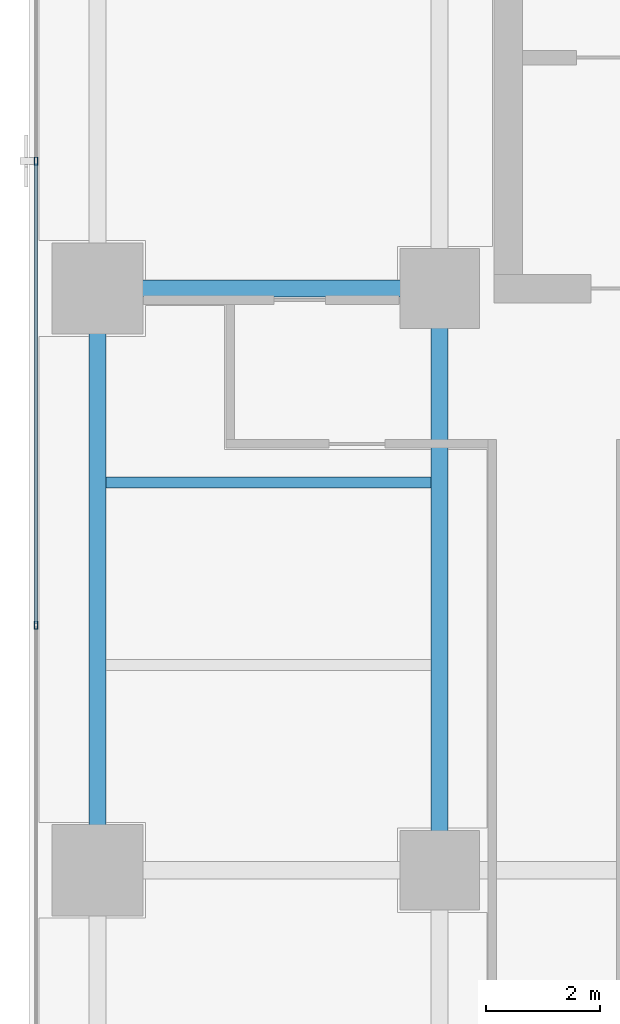
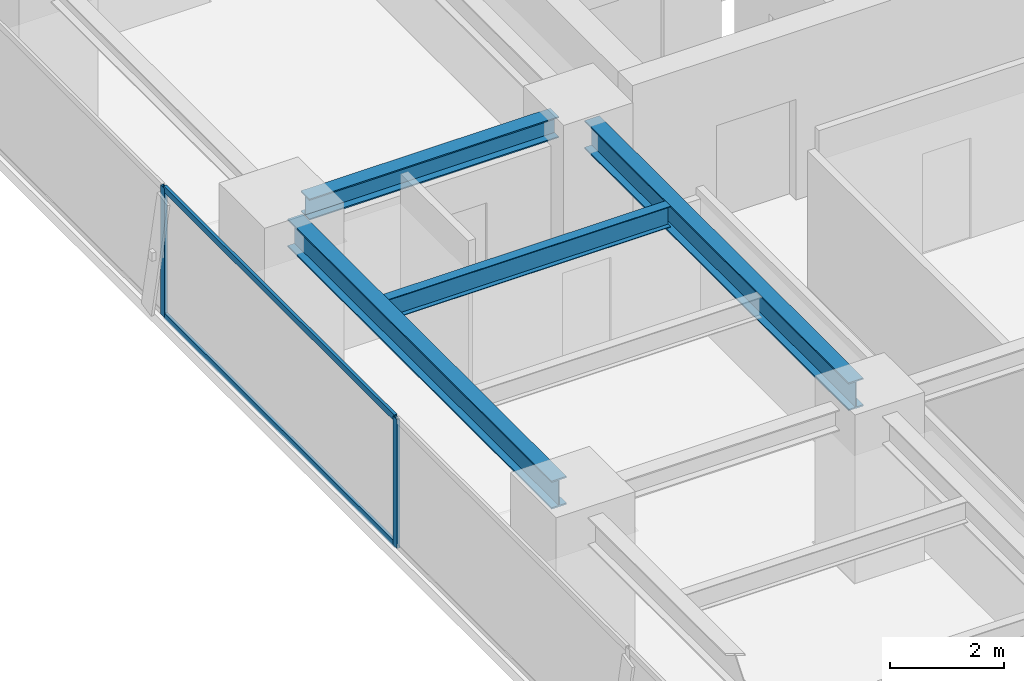
# One storey, part 8 of 29: 4 beams, 4 members, 1 element without a shape of its own.
"""IFC4 building model written with IfcOpenShell, lengths in metres."""

from ifc_helpers import new_model, si_unit, direction, frame, origin, origin_2d, place, context, subcontext, project, spatial, hollow_rectangle, i_section, extrude, source, transform, mapped, material, layer, layer_set, material_profile, profile_set, type_object, element, aggregate, save


model = new_model("IFC4")

# Units and contexts
model_context = context("Model", 3, precision=1e-05, world=origin(), true_north=direction((0.0, 1.0)))
body_context = subcontext(model_context, "Body", "Model", "MODEL_VIEW")
ifc_project = project(units=[si_unit("LENGTHUNIT", "METRE"), si_unit("AREAUNIT", "SQUARE_METRE"), si_unit("VOLUMEUNIT", "CUBIC_METRE"), si_unit("PLANEANGLEUNIT", "RADIAN"), si_unit("MASSUNIT", "GRAM", prefix="KILO")], contexts=[model_context])

# Site, building, storey
site_placement = place(None, origin())
site = spatial("IfcSite", under=ifc_project, at=site_placement, CompositionType="ELEMENT")
building_placement = place(site_placement, origin())
building = spatial("IfcBuilding", under=site, at=building_placement, Name="Sumidabori Civic Tower", CompositionType="ELEMENT")
storey_placement = place(building_placement, frame((0.0, 0.0, 207.199951171875)))
storey = spatial("IfcBuildingStorey", under=building, at=storey_placement, Name="L53", CompositionType="ELEMENT", Elevation=207.199951171875)

# Beams
ifc_material_1 = material(Name="Steel SN490", Category="steel")
ifc_material_profile_1 = material_profile(ifc_material_1, i_section(OverallWidth=0.300048828125, OverallDepth=0.60009765625, WebThickness=0.015380859375, FlangeThickness=0.030029296875, at=origin_2d()), Name="HE 600 B")
ifc_profile_set_1 = profile_set([ifc_material_profile_1], Name="Steel SN490")
beam_type_1 = type_object("IfcBeamType", Name="BM-GIRD-600", PredefinedType="BEAM", material=ifc_profile_set_1)
shared_shape_1 = source(origin(), body_context, "Body", "SweptSolid", [
    extrude(i_section(OverallWidth=0.300048828125, OverallDepth=0.60009765625, WebThickness=0.015380859375, FlangeThickness=0.030029296875, at=origin_2d()), origin(), (0.0, 0.0, 1.0), 9.239990234375),
])
for number, where, z_axis, x_axis, name in (
    (1, (-22.800048828125, 0.47998046875, 3.080078125), (0.0, 1.0, 0.0), (-1.0, 0.0, 0.0), "Primary Girder L53 GY-12"),
    (2, (-16.800048828125, 0.47998046875, 3.080078125), (0.0, 1.0, 0.0), (-1.0, 0.0, 0.0), "Primary Girder L53 GY-15"),
):
    element("IfcBeam", number, at=place(storey_placement, frame(where, z_axis=z_axis, x_axis=x_axis)), inside=storey, type_object=beam_type_1, Name=name, PredefinedType="BEAM", context=body_context, shape_type="MappedRepresentation", body=[
        mapped(shared_shape_1, transform((0.0, 0.0, 0.0), x_axis=(1.0, 0.0, 0.0), y_axis=(0.0, 1.0, 0.0), z_axis=(0.0, 0.0, 1.0), scale=1.0)),
    ])
ifc_material_profile_2 = material_profile(ifc_material_1, i_section(OverallWidth=0.18994140625, OverallDepth=0.449951171875, WebThickness=0.009521484375, FlangeThickness=0.0146484375, at=origin_2d()), Name="IPE 450")
ifc_profile_set_2 = profile_set([ifc_material_profile_2], Name="Steel SN490")
beam_type_2 = type_object("IfcBeamType", Name="BM-JST-450", PredefinedType="JOIST", material=ifc_profile_set_2)
shared_shape_2 = source(origin(), body_context, "Body", "SweptSolid", [
    extrude(i_section(OverallWidth=0.18994140625, OverallDepth=0.449951171875, WebThickness=0.009521484375, FlangeThickness=0.0146484375, at=origin_2d()), origin(), (0.0, 0.0, 1.0), 5.699951171875),
])
beam_1_placement = place(storey_placement, frame((-22.64990234375, 6.800048828125, 3.155029296875), z_axis=(1.0, 0.0, 0.0), x_axis=(0.0, 1.0, 0.0)))
element("IfcBeam", 3, at=beam_1_placement, inside=storey, type_object=beam_type_2, Name="Outer Bay Floor Joist L53 JSTO-31", PredefinedType="JOIST", context=body_context, shape_type="MappedRepresentation", body=[
    mapped(shared_shape_2, transform((0.0, 0.0, 0.0), x_axis=(1.0, 0.0, 0.0), y_axis=(0.0, 1.0, 0.0), z_axis=(0.0, 0.0, 1.0), scale=1.0)),
])
ifc_material_profile_3 = material_profile(ifc_material_1, i_section(OverallWidth=0.300048828125, OverallDepth=0.449951171875, WebThickness=0.013916015625, FlangeThickness=0.02587890625, at=origin_2d()), Name="HE 450 B")
ifc_profile_set_3 = profile_set([ifc_material_profile_3], Name="Steel SN490")
beam_type_3 = type_object("IfcBeamType", Name="BM-GIRD-450", PredefinedType="BEAM", material=ifc_profile_set_3)
shared_shape_3 = source(origin(), body_context, "Body", "SweptSolid", [
    extrude(i_section(OverallWidth=0.300048828125, OverallDepth=0.449951171875, WebThickness=0.013916015625, FlangeThickness=0.02587890625, at=origin_2d()), origin(), (0.0, 0.0, 1.0), 5.0400390625),
])
beam_2_placement = place(storey_placement, frame((-22.320068359375, 10.199951171875, 3.155029296875), z_axis=(1.0, 0.0, 0.0), x_axis=(0.0, 1.0, 0.0)))
element("IfcBeam", 4, at=beam_2_placement, inside=storey, type_object=beam_type_3, Name="Primary Girder L53 GX-09", PredefinedType="BEAM", context=body_context, shape_type="MappedRepresentation", body=[
    mapped(shared_shape_3, transform((0.0, 0.0, 0.0), x_axis=(1.0, 0.0, 0.0), y_axis=(0.0, 1.0, 0.0), z_axis=(0.0, 0.0, 1.0), scale=1.0)),
])

# Curtain wall, members
ifc_material_2 = material(Name="Anodised Bronze Aluminium AW-6063-T6", Category="aluminium")
ifc_layer = layer(ifc_material_2, 0.179931640625, Name="Anodised Bronze Aluminium AW-6063-T6")
ifc_layer_set = layer_set([ifc_layer], Name="Anodised Bronze Aluminium AW-6063-T6")
curtain_wall_type = type_object("IfcCurtainWallType", Name="CW-SYS-5", PredefinedType="NOTDEFINED", material=ifc_layer_set)
curtain_wall_placement = place(storey_placement, origin())
curtain_wall = element("IfcCurtainWall", 5, at=curtain_wall_placement, inside=storey, type_object=curtain_wall_type, Name="Curtain Wall CW:L53:R16", PredefinedType="NOTDEFINED")
ifc_material_profile_4 = material_profile(ifc_material_2, hollow_rectangle(XDim=0.06005859375, YDim=0.139892578125, WallThickness=0.0048828125, at=origin_2d()), Name="ALU MULLION 140x60")
ifc_profile_set_4 = profile_set([ifc_material_profile_4], Name="Anodised Bronze Aluminium AW-6063-T6")
member_type_1 = type_object("IfcMemberType", Name="CW-MUL-140", PredefinedType="MULLION", material=ifc_profile_set_4)
shared_shape_4 = source(origin(), body_context, "Body", "SweptSolid", [
    extrude(hollow_rectangle(XDim=0.06005859375, YDim=0.139892578125, WallThickness=0.0048828125, at=origin_2d()), origin(), (0.0, 0.0, 1.0), 2.760009765625),
])
member_1_placement = place(storey_placement, frame((-23.8798828125, 12.43505859375, 0.0), z_axis=(0.0, 0.0, 1.0), x_axis=(1.0, 0.0, 0.0)))
member_1 = element("IfcMember", 6, at=member_1_placement, type_object=member_type_1, Name="CW-5 mullion 2", PredefinedType="MULLION", context=body_context, shape_type="MappedRepresentation", body=[
    mapped(shared_shape_4, transform((0.0, 0.0, 0.0), x_axis=(1.0, 0.0, 0.0), y_axis=(0.0, 1.0, 0.0), z_axis=(0.0, 0.0, 1.0), scale=1.0)),
])
member_2_placement = place(storey_placement, frame((-23.8798828125, 4.300048828125, 0.0), z_axis=(0.0, 0.0, 1.0), x_axis=(1.0, 0.0, 0.0)))
member_2 = element("IfcMember", 7, at=member_2_placement, type_object=member_type_1, Name="CW-5 mullion 3", PredefinedType="MULLION", context=body_context, shape_type="MappedRepresentation", body=[
    mapped(shared_shape_4, transform((0.0, 0.0, 0.0), x_axis=(1.0, 0.0, 0.0), y_axis=(0.0, 1.0, 0.0), z_axis=(0.0, 0.0, 1.0), scale=1.0)),
])
ifc_material_profile_5 = material_profile(ifc_material_2, hollow_rectangle(XDim=0.06005859375, YDim=0.1298828125, WallThickness=0.0048828125, at=origin_2d()), Name="ALU TRANSOM 130x60")
ifc_profile_set_5 = profile_set([ifc_material_profile_5], Name="Anodised Bronze Aluminium AW-6063-T6")
member_type_2 = type_object("IfcMemberType", Name="CW-TRN-130", PredefinedType="USERDEFINED", material=ifc_profile_set_5)
shared_shape_5 = source(origin(), body_context, "Body", "SweptSolid", [
    extrude(hollow_rectangle(XDim=0.06005859375, YDim=0.1298828125, WallThickness=0.0048828125, at=origin_2d()), origin(), (0.0, 0.0, 1.0), 8.074951171875),
])
member_3_placement = place(storey_placement, frame((-23.8798828125, 12.405029296875, 0.030029296875), z_axis=(0.0, -1.0, 0.0), x_axis=(1.0, 0.0, 0.0)))
member_3 = element("IfcMember", 8, at=member_3_placement, type_object=member_type_2, Name="CW-5 transom 2.1", ObjectType="TRANSOM", PredefinedType="USERDEFINED", context=body_context, shape_type="MappedRepresentation", body=[
    mapped(shared_shape_5, transform((0.0, 0.0, 0.0), x_axis=(1.0, 0.0, 0.0), y_axis=(0.0, 1.0, 0.0), z_axis=(0.0, 0.0, 1.0), scale=1.0)),
])
member_4_placement = place(storey_placement, frame((-23.8798828125, 12.405029296875, 2.72998046875), z_axis=(0.0, -1.0, 0.0), x_axis=(1.0, 0.0, 0.0)))
member_4 = element("IfcMember", 9, at=member_4_placement, type_object=member_type_2, Name="CW-5 transom 2.2", ObjectType="TRANSOM", PredefinedType="USERDEFINED", context=body_context, shape_type="MappedRepresentation", body=[
    mapped(shared_shape_5, transform((0.0, 0.0, 0.0), x_axis=(1.0, 0.0, 0.0), y_axis=(0.0, 1.0, 0.0), z_axis=(0.0, 0.0, 1.0), scale=1.0)),
])
aggregate(curtain_wall, [member_1, member_2, member_3, member_4])

save(model, "model.ifc")
